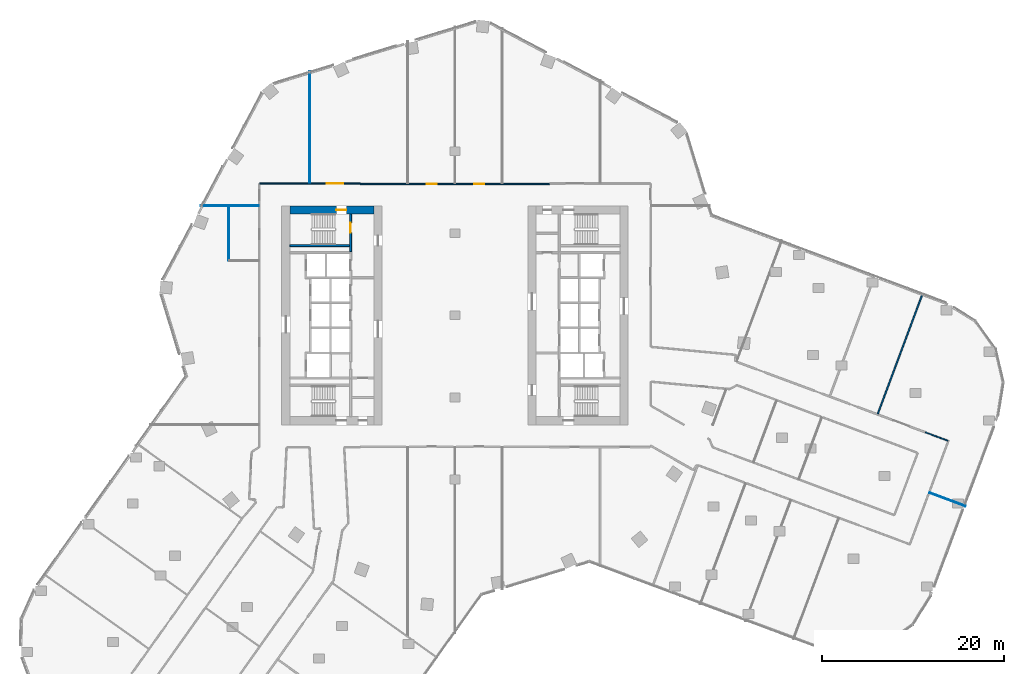
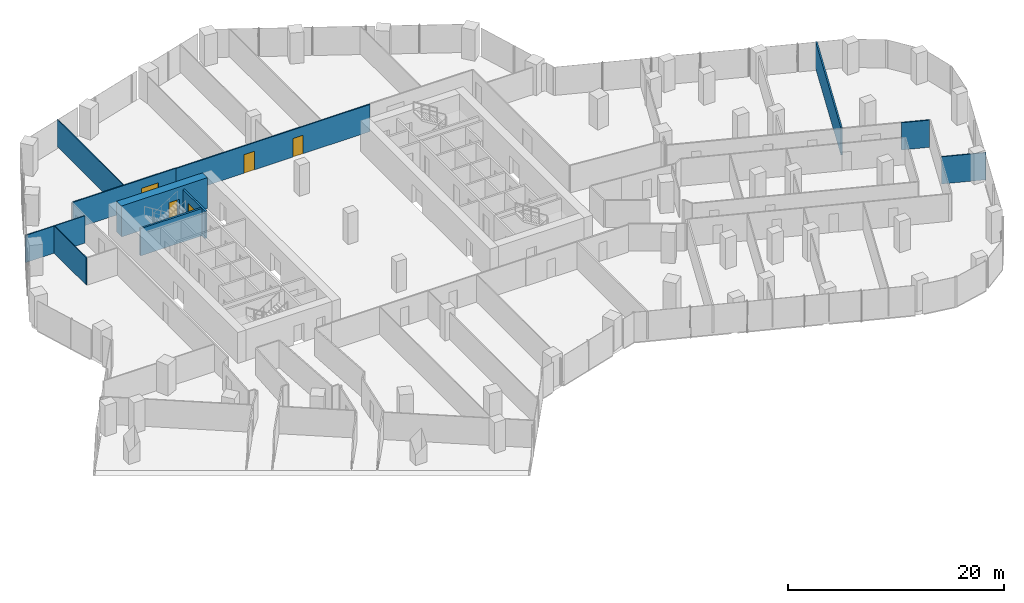
# One storey, part 27 of 31: 11 walls, 5 doors, 5 openings.
"""IFC4 building model written with IfcOpenShell, lengths in metres."""

from ifc_helpers import new_model, si_unit, direction, frame, frame_2d, origin, place, context, subcontext, project, spatial, rectangle, extrude, material, layer, layer_set, type_object, element, fill, save


model = new_model("IFC4")

# Units and contexts
model_context = context("Model", 3, precision=1e-05, world=origin(), true_north=direction((0.0, 1.0)))
body_context = subcontext(model_context, "Body", "Model", "MODEL_VIEW")
ifc_project = project(units=[si_unit("LENGTHUNIT", "METRE"), si_unit("AREAUNIT", "SQUARE_METRE"), si_unit("VOLUMEUNIT", "CUBIC_METRE"), si_unit("PLANEANGLEUNIT", "RADIAN"), si_unit("MASSUNIT", "GRAM", prefix="KILO")], contexts=[model_context])

# Site, building, storey
site_placement = place(None, origin())
site = spatial("IfcSite", under=ifc_project, at=site_placement, CompositionType="ELEMENT")
building_placement = place(site_placement, origin())
building = spatial("IfcBuilding", under=site, at=building_placement, Name="Orlundy Tower", CompositionType="ELEMENT")
storey_placement = place(building_placement, frame((0.0, 0.0, 84.199951171875)))
storey = spatial("IfcBuildingStorey", under=building, at=storey_placement, Name="L20", CompositionType="ELEMENT", Elevation=84.199951171875)

# Wall, opening, door
ifc_material_1 = material(Name="Concrete C80/95", Category="concrete")
ifc_layer_1 = layer(ifc_material_1, 0.89990234375)
ifc_layer_set_1 = layer_set([ifc_layer_1], Name="CORE WALL 900 C80/95")
wall_type_1 = type_object("IfcWallType", Name="CORE WALL 900 C80/95", PredefinedType="SHEAR", material=ifc_layer_set_1)
wall_1_placement = place(storey_placement, frame((-18.10009765625, 11.550048828125, 0.0), z_axis=(0.0, 0.0, 1.0), x_axis=(1.0, 0.0, 0.0)))
wall_1 = element("IfcWall", 1, at=wall_1_placement, inside=storey, type_object=wall_type_1, Name="Core wall W-N L20", PredefinedType="SHEAR", context=body_context, shape_type="SweptSolid", body=[
    extrude(rectangle(XDim=9.2001953125, YDim=0.89990234375, at=frame_2d((4.60009765625, 0.0))), origin(), (0.0, 0.0, 1.0), 3.5),
])
opening_1_placement = place(wall_1_placement, frame((5.10009765625, 0.0, 0.0)))
opening_1 = element("IfcOpeningElement", 2, at=opening_1_placement, cuts=wall_1, Name="Opening 17012", PredefinedType="OPENING", context=body_context, shape_type="SweptSolid", body=[
    extrude(rectangle(XDim=1.10009765625, YDim=2.10009765625, at=frame_2d((0.550048828125, 1.050048828125))), frame((0.0, 0.4599609375, 0.0), z_axis=(0.0, -1.0, 0.0), x_axis=(1.0, 0.0, 0.0)), (0.0, 0.0, 1.0), 0.919921875),
])
ifc_material_2 = material(Name="Steel door set", Category="steel")
door_type_1 = type_object("IfcDoorType", Name="Stair Door 1100x2100", OperationType="SINGLE_SWING_LEFT", PredefinedType="DOOR", material=ifc_material_2)
door_1_placement = place(opening_1_placement, origin())
door_1 = element("IfcDoor", 3, at=door_1_placement, inside=storey, type_object=door_type_1, Name="Stair door 17012", OperationType="SINGLE_SWING_RIGHT", OverallHeight=2.10009765625, OverallWidth=1.10009765625, PredefinedType="DOOR", context=body_context, shape_type="SweptSolid", body=[
    extrude(rectangle(XDim=1.10009765625, YDim=2.10009765625, at=frame_2d((0.550048828125, 1.050048828125))), frame((0.0, 0.02490234375, 0.0), z_axis=(0.0, -1.0, 0.0), x_axis=(1.0, 0.0, 0.0)), (0.0, 0.0, 1.0), 0.050048828125),
])
fill(opening_1, door_1)

# Walls
ifc_material_3 = material(Name="Gypsum board partition")
ifc_layer_2 = layer(ifc_material_3, 0.10009765625)
ifc_layer_set_2 = layer_set([ifc_layer_2], Name="Floor partition 100")
wall_type_2 = type_object("IfcWallType", Name="Floor partition 100", PredefinedType="PARTITIONING", material=ifc_layer_set_2)
wall_2_placement = place(storey_placement, frame((52.044921875, -19.4580078125, 0.0), z_axis=(0.0, 0.0, 1.0), x_axis=(0.936700060605, -0.350132826886, 0.0)))
element("IfcWall", 4, at=wall_2_placement, inside=storey, type_object=wall_type_2, Name="wall-int-L20-021", PredefinedType="PARTITIONING", context=body_context, shape_type="SweptSolid", body=[
    extrude(rectangle(XDim=4.187255859375, YDim=0.10009765625, at=frame_2d((2.09375, 0.0))), origin(), (0.0, 0.0, 1.0), 3.080078125),
])
wall_3_placement = place(storey_placement, frame((-27.87890625, 12.0, 0.0), z_axis=(0.0, 0.0, 1.0), x_axis=(1.0, 0.0, 0.0)))
element("IfcWall", 5, at=wall_3_placement, inside=storey, type_object=wall_type_2, Name="wall-int-L20-037", PredefinedType="PARTITIONING", context=body_context, shape_type="SweptSolid", body=[
    extrude(rectangle(XDim=6.366943359375, YDim=0.10009765625, at=frame_2d((3.18359375, 0.0))), origin(), (0.0, 0.0, 1.0), 3.080078125),
])
wall_4_placement = place(storey_placement, frame((-15.919921875, 14.513916015625, 0.0), z_axis=(0.0, 0.0, 1.0), x_axis=(0.0, 1.0, 0.0)))
element("IfcWall", 6, at=wall_4_placement, inside=storey, type_object=wall_type_2, Name="wall-int-L20-087", PredefinedType="PARTITIONING", context=body_context, shape_type="SweptSolid", body=[
    extrude(rectangle(XDim=12.2509765625, YDim=0.10009765625, at=frame_2d((6.12548828125, 0.0))), origin(), (0.0, 0.0, 1.0), 3.080078125),
])
wall_5_placement = place(storey_placement, frame((-24.781982421875, 6.0009765625, 0.0), z_axis=(0.0, 0.0, 1.0), x_axis=(0.0, 1.0, 0.0)))
element("IfcWall", 7, at=wall_5_placement, inside=storey, type_object=wall_type_2, Name="wall-int-L20-089", PredefinedType="PARTITIONING", context=body_context, shape_type="SweptSolid", body=[
    extrude(rectangle(XDim=5.948974609375, YDim=0.10009765625, at=frame_2d((2.974609375, 0.0))), origin(), (0.0, 0.0, 1.0), 3.080078125),
])
ifc_material_4 = material(Name="Gypsum board partition, double layer")
ifc_layer_3 = layer(ifc_material_4, 0.125)
ifc_layer_set_3 = layer_set([ifc_layer_3], Name="Floor partition 125")
wall_type_3 = type_object("IfcWallType", Name="Floor partition 125", PredefinedType="PARTITIONING", material=ifc_layer_set_3)
wall_6_placement = place(storey_placement, frame((54.044921875, -13.7470703125, 0.0), z_axis=(0.0, 0.0, 1.0), x_axis=(-0.936644465202, 0.350281523643, 0.0)))
element("IfcWall", 8, at=wall_6_placement, inside=storey, type_object=wall_type_3, Name="wall-int-L20-024", PredefinedType="PARTITIONING", context=body_context, shape_type="SweptSolid", body=[
    extrude(rectangle(XDim=2.63818359375, YDim=0.125, at=frame_2d((1.319091796875, 0.0))), origin(), (0.0, 0.0, 1.0), 3.080078125),
])

# Wall, openings, doors
wall_7_placement = place(storey_placement, frame((-10.389892578125, 14.40087890625, 0.0), z_axis=(0.0, 0.0, 1.0), x_axis=(1.0, 0.0, 0.0)))
wall_7 = element("IfcWall", 9, at=wall_7_placement, inside=storey, type_object=wall_type_3, Name="wall-int-L20-039", PredefinedType="PARTITIONING", context=body_context, shape_type="SweptSolid", body=[
    extrude(rectangle(XDim=20.781005859375, YDim=0.125, at=frame_2d((10.390625, 0.0))), origin(), (0.0, 0.0, 1.0), 3.080078125),
])
opening_2_placement = place(wall_7_placement, frame((12.489990234375, 0.0, 0.0)))
opening_2 = element("IfcOpeningElement", 10, at=opening_2_placement, cuts=wall_7, Name="Opening 17134", PredefinedType="OPENING", context=body_context, shape_type="SweptSolid", body=[
    extrude(rectangle(XDim=1.10009765625, YDim=2.10009765625, at=frame_2d((0.550048828125, 1.050048828125))), frame((0.0, 0.072509765625, 0.0), z_axis=(0.0, -1.0, 0.0), x_axis=(1.0, 0.0, 0.0)), (0.0, 0.0, 1.0), 0.14501953125),
])
opening_3_placement = place(wall_7_placement, frame((7.294921875, 0.0, 0.0)))
opening_3 = element("IfcOpeningElement", 11, at=opening_3_placement, cuts=wall_7, Name="Opening 17135", PredefinedType="OPENING", context=body_context, shape_type="SweptSolid", body=[
    extrude(rectangle(XDim=1.10009765625, YDim=2.10009765625, at=frame_2d((0.550048828125, 1.050048828125))), frame((0.0, 0.072509765625, 0.0), z_axis=(0.0, -1.0, 0.0), x_axis=(1.0, 0.0, 0.0)), (0.0, 0.0, 1.0), 0.14501953125),
])
ifc_material_5 = material(Name="Timber door leaf", Category="wood")
door_type_2 = type_object("IfcDoorType", Name="Floor door xwide 1100 FD30S", OperationType="NOTDEFINED", PredefinedType="DOOR", material=ifc_material_5)
door_2_placement = place(opening_2_placement, origin())
door_2 = element("IfcDoor", 12, at=door_2_placement, inside=storey, type_object=door_type_2, Name="Door 17134", OperationType="SINGLE_SWING_RIGHT", OverallHeight=2.10009765625, OverallWidth=1.10009765625, PredefinedType="DOOR", context=body_context, shape_type="SweptSolid", body=[
    extrude(rectangle(XDim=1.10009765625, YDim=2.10009765625, at=frame_2d((0.550048828125, 1.050048828125))), frame((0.0, 0.02490234375, 0.0), z_axis=(0.0, -1.0, 0.0), x_axis=(1.0, 0.0, 0.0)), (0.0, 0.0, 1.0), 0.050048828125),
])
fill(opening_2, door_2)
door_3_placement = place(opening_3_placement, origin())
door_3 = element("IfcDoor", 13, at=door_3_placement, inside=storey, type_object=door_type_2, Name="Door 17135", OperationType="SINGLE_SWING_LEFT", OverallHeight=2.10009765625, OverallWidth=1.10009765625, PredefinedType="DOOR", context=body_context, shape_type="SweptSolid", body=[
    extrude(rectangle(XDim=1.10009765625, YDim=2.10009765625, at=frame_2d((0.550048828125, 1.050048828125))), frame((0.0, 0.02490234375, 0.0), z_axis=(0.0, -1.0, 0.0), x_axis=(1.0, 0.0, 0.0)), (0.0, 0.0, 1.0), 0.050048828125),
])
fill(opening_3, door_3)

# Wall, opening, door
wall_8_placement = place(storey_placement, frame((-21.386962890625, 14.450927734375, 0.0), z_axis=(0.0, 0.0, 1.0), x_axis=(1.0, 0.0, 0.0)))
wall_8 = element("IfcWall", 14, at=wall_8_placement, inside=storey, type_object=wall_type_3, Name="wall-int-L20-040", PredefinedType="PARTITIONING", context=body_context, shape_type="SweptSolid", body=[
    extrude(rectangle(XDim=10.995849609375, YDim=0.125, at=frame_2d((5.498046875, 0.0))), origin(), (0.0, 0.0, 1.0), 3.080078125),
])
opening_4_placement = place(wall_8_placement, frame((7.3173828125, 0.0, 0.0)))
opening_4 = element("IfcOpeningElement", 15, at=opening_4_placement, cuts=wall_8, Name="Opening 17136", PredefinedType="OPENING", context=body_context, shape_type="SweptSolid", body=[
    extrude(rectangle(XDim=1.800048828125, YDim=2.10009765625, at=frame_2d((0.89990234375, 1.050048828125))), frame((0.0, 0.072509765625, 0.0), z_axis=(0.0, -1.0, 0.0), x_axis=(1.0, 0.0, 0.0)), (0.0, 0.0, 1.0), 0.14501953125),
])
ifc_material_6 = material(Name="Timber door leaf", Category="wood")
door_type_3 = type_object("IfcDoorType", Name="Floor door double 1800 FD30S", OperationType="NOTDEFINED", PredefinedType="DOOR", material=ifc_material_6)
door_4_placement = place(opening_4_placement, origin())
door_4 = element("IfcDoor", 16, at=door_4_placement, inside=storey, type_object=door_type_3, Name="Door 17136", OperationType="DOUBLE_DOOR_SINGLE_SWING", OverallHeight=2.10009765625, OverallWidth=1.800048828125, PredefinedType="DOOR", context=body_context, shape_type="SweptSolid", body=[
    extrude(rectangle(XDim=1.800048828125, YDim=2.10009765625, at=frame_2d((0.89990234375, 1.050048828125))), frame((0.0, 0.02490234375, 0.0), z_axis=(0.0, -1.0, 0.0), x_axis=(1.0, 0.0, 0.0)), (0.0, 0.0, 1.0), 0.050048828125),
])
fill(opening_4, door_4)

# Wall
ifc_material_7 = material(Name="Blockwork shaft wall", Category="masonry")
ifc_layer_4 = layer(ifc_material_7, 0.14990234375)
ifc_layer_set_4 = layer_set([ifc_layer_4], Name="Floor shaft wall 150")
wall_type_4 = type_object("IfcWallType", Name="Floor shaft wall 150", PredefinedType="PARTITIONING", material=ifc_layer_set_4)
wall_9_placement = place(storey_placement, frame((46.35595703125, -10.7919921875, 0.0), z_axis=(0.0, 0.0, 1.0), x_axis=(0.350240580202, 0.936659776002, 0.0)))
element("IfcWall", 17, at=wall_9_placement, inside=storey, type_object=wall_type_4, Name="wall-int-L20-061", PredefinedType="PARTITIONING", context=body_context, shape_type="SweptSolid", body=[
    extrude(rectangle(XDim=14.124755859375, YDim=0.14990234375, at=frame_2d((7.0625, 0.0))), origin(), (0.0, 0.0, 1.0), 3.080078125),
])

# Wall, opening, door
ifc_material_8 = material(Name="Concrete C40/50", Category="concrete")
ifc_layer_5 = layer(ifc_material_8, 0.199951171875)
ifc_layer_set_5 = layer_set([ifc_layer_5], Name="Load-bearing Shaft Wall 200")
wall_type_5 = type_object("IfcWallType", Name="Load-bearing Shaft Wall 200", PredefinedType="SOLIDWALL", material=ifc_layer_set_5)
wall_10_placement = place(storey_placement, frame((-11.43994140625, 6.97509765625, 0.0), z_axis=(0.0, 0.0, 1.0), x_axis=(0.0, 1.0, 0.0)))
wall_10 = element("IfcWall", 18, at=wall_10_placement, inside=storey, type_object=wall_type_5, Name="Shaft wall W17-stair-end-n", PredefinedType="SOLIDWALL", context=body_context, shape_type="SweptSolid", body=[
    extrude(rectangle(XDim=4.125, YDim=0.199951171875, at=frame_2d((2.0625, 0.0))), origin(), (0.0, 0.0, 1.0), 3.090087890625),
])
opening_5_placement = place(wall_10_placement, frame((2.10009765625, 0.0, 0.0)))
opening_5 = element("IfcOpeningElement", 19, at=opening_5_placement, cuts=wall_10, Name="Opening 17014", PredefinedType="OPENING", context=body_context, shape_type="SweptSolid", body=[
    extrude(rectangle(XDim=1.10009765625, YDim=2.10009765625, at=frame_2d((0.550048828125, 1.050048828125))), frame((0.0, 0.110107421875, 0.0), z_axis=(0.0, -1.0, 0.0), x_axis=(1.0, 0.0, 0.0)), (0.0, 0.0, 1.0), 0.22021484375),
])
ifc_material_9 = material(Name="Steel door set", Category="steel")
door_type_4 = type_object("IfcDoorType", Name="Fire-fighting Lobby Door 1100x2100", OperationType="SINGLE_SWING_LEFT", PredefinedType="DOOR", material=ifc_material_9)
door_5_placement = place(opening_5_placement, origin())
door_5 = element("IfcDoor", 20, at=door_5_placement, inside=storey, type_object=door_type_4, Name="Fire-fighting lobby to stair door 17014", OperationType="SINGLE_SWING_RIGHT", OverallHeight=2.10009765625, OverallWidth=1.10009765625, PredefinedType="DOOR", context=body_context, shape_type="SweptSolid", body=[
    extrude(rectangle(XDim=1.10009765625, YDim=2.10009765625, at=frame_2d((0.550048828125, 1.050048828125))), frame((0.0, 0.02490234375, 0.0), z_axis=(0.0, -1.0, 0.0), x_axis=(1.0, 0.0, 0.0)), (0.0, 0.0, 1.0), 0.050048828125),
])
fill(opening_5, door_5)

# Wall
wall_11_placement = place(storey_placement, frame((-11.5400390625, 7.64990234375, 0.0), z_axis=(0.0, 0.0, 1.0), x_axis=(-1.0, 0.0, 0.0)))
element("IfcWall", 21, at=wall_11_placement, inside=storey, type_object=wall_type_5, Name="Shaft wall W17-stair-side-n", PredefinedType="SOLIDWALL", context=body_context, shape_type="SweptSolid", body=[
    extrude(rectangle(XDim=6.56005859375, YDim=0.199951171875, at=frame_2d((3.280029296875, 0.0))), origin(), (0.0, 0.0, 1.0), 3.090087890625),
])

save(model, "model.ifc")
